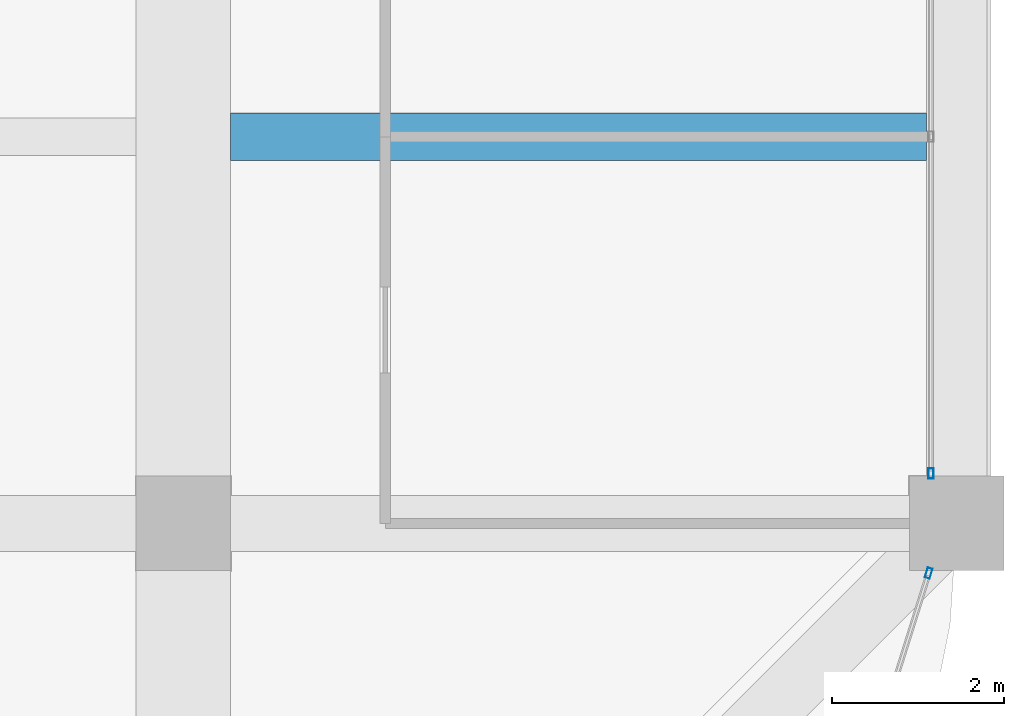
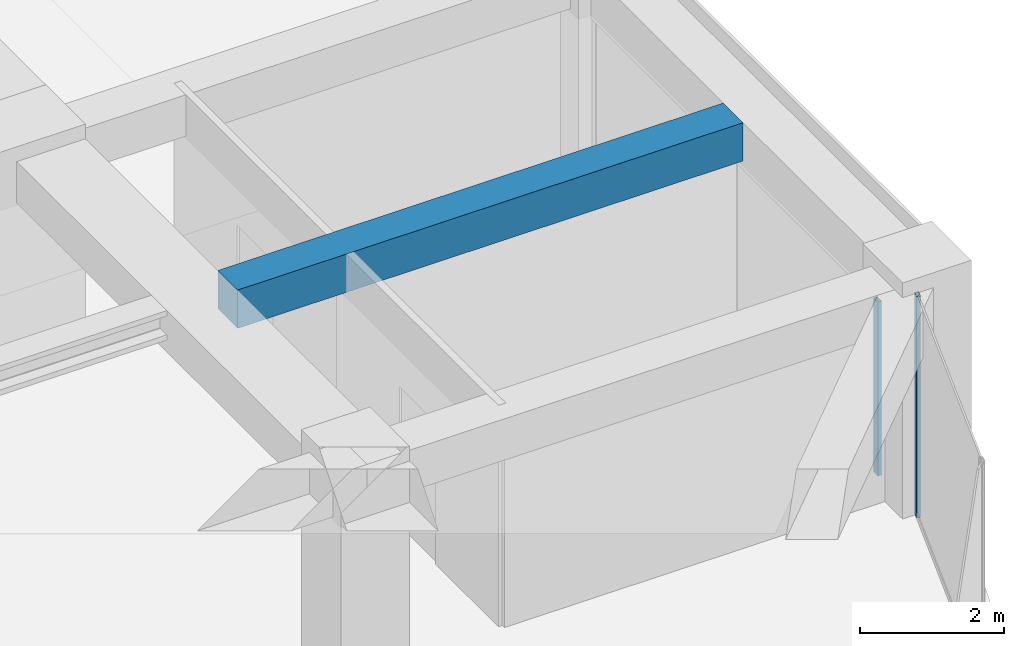
# One storey, part 22 of 44: 2 members, 1 beam, 2 elements without a shape of their own.
"""IFC4 building model written with IfcOpenShell, lengths in metres."""

from ifc_helpers import new_model, si_unit, direction, frame, origin, origin_2d, place, context, subcontext, project, spatial, rectangle, hollow_rectangle, extrude, material, material_profile, profile_set, type_object, element, aggregate, save


model = new_model("IFC4")

# Units and contexts
model_context = context("Model", 3, precision=1e-05, world=origin(), true_north=direction((0.0, 1.0)))
body_context = subcontext(model_context, "Body", "Model", "MODEL_VIEW")
ifc_project = project(units=[si_unit("LENGTHUNIT", "METRE"), si_unit("AREAUNIT", "SQUARE_METRE"), si_unit("VOLUMEUNIT", "CUBIC_METRE"), si_unit("PLANEANGLEUNIT", "RADIAN"), si_unit("MASSUNIT", "GRAM", prefix="KILO")], contexts=[model_context])

# Site, building, storey
site_placement = place(None, origin())
site = spatial("IfcSite", under=ifc_project, at=site_placement, CompositionType="ELEMENT")
building_placement = place(site_placement, origin())
building = spatial("IfcBuilding", under=site, at=building_placement, Name="Zorevar Civic Tower", CompositionType="ELEMENT")
storey_placement = place(building_placement, frame((0.0, 0.0, 295.39990234375)))
storey = spatial("IfcBuildingStorey", under=building, at=storey_placement, Name="L72", CompositionType="ELEMENT", Elevation=295.39990234375)

# Beam
ifc_material_1 = material(Name="Concrete C50/60", Category="concrete")
ifc_material_profile_1 = material_profile(ifc_material_1, rectangle(XDim=0.550048828125, YDim=0.64990234375, at=origin_2d()), Name="RC 550x650")
ifc_profile_set_1 = profile_set([ifc_material_profile_1], Name="Concrete C50/60")
beam_type = type_object("IfcBeamType", Name="Beam RC 550x650", PredefinedType="BEAM", material=ifc_profile_set_1)
beam_placement = place(storey_placement, frame((45.550048828125, 13.5, 3.425048828125), z_axis=(1.0, 0.0, 0.0), x_axis=(0.0, 1.0, 0.0)))
element("IfcBeam", 1, at=beam_placement, inside=storey, type_object=beam_type, Name="Secondary beam L73", PredefinedType="BEAM", context=body_context, shape_type="SweptSolid", body=[
    extrude(rectangle(XDim=0.550048828125, YDim=0.64990234375, at=origin_2d()), origin(), (0.0, 0.0, 1.0), 8.099853515625),
])

# Curtain wall, member
ifc_material_2 = material(Name="Dark grey solar-control glass in black aluminium frame", Category="aluminium")
curtain_wall_type = type_object("IfcCurtainWallType", Name="Curtain wall CW5 top zone", PredefinedType="NOTDEFINED", material=ifc_material_2)
curtain_wall_1_placement = place(storey_placement, origin())
curtain_wall_1 = element("IfcCurtainWall", 2, at=curtain_wall_1_placement, inside=storey, type_object=curtain_wall_type, Name="CW5 L72", PredefinedType="NOTDEFINED")
ifc_material_3 = material(Name="Aluminium, black anodised", Category="aluminium")
ifc_material_profile_2 = material_profile(ifc_material_3, hollow_rectangle(XDim=0.06005859375, YDim=0.1201171875, WallThickness=0.0029296875, at=origin_2d()), Name="AL 120x60x3")
ifc_profile_set_2 = profile_set([ifc_material_profile_2], Name="Aluminium, black anodised")
member_type = type_object("IfcMemberType", Name="CW5 mullion AL 120x60x3", PredefinedType="MULLION", material=ifc_profile_set_2)
member_1_placement = place(storey_placement, frame((53.699951171875, 9.580078125, 0.0), z_axis=(0.0, 0.0, 1.0), x_axis=(-1.0, 0.0, 0.0)))
member_1 = element("IfcMember", 3, at=member_1_placement, type_object=member_type, Name="CW5 mullion 1", PredefinedType="MULLION", context=body_context, shape_type="SweptSolid", body=[
    extrude(hollow_rectangle(XDim=0.06005859375, YDim=0.1201171875, WallThickness=0.0029296875, at=origin_2d()), origin(), (0.0, 0.0, 1.0), 2.9501953125),
])
aggregate(curtain_wall_1, [member_1])

curtain_wall_2_placement = place(storey_placement, origin())
curtain_wall_2 = element("IfcCurtainWall", 4, at=curtain_wall_2_placement, inside=storey, type_object=curtain_wall_type, Name="CW5 L72", PredefinedType="NOTDEFINED")
member_2_placement = place(storey_placement, frame((53.673583984375, 8.42138671875, 0.0), z_axis=(0.0, 0.0, 1.0), x_axis=(-0.954153437674, 0.299317920238, 0.0)))
member_2 = element("IfcMember", 5, at=member_2_placement, type_object=member_type, Name="CW5 mullion 2", PredefinedType="MULLION", context=body_context, shape_type="SweptSolid", body=[
    extrude(hollow_rectangle(XDim=0.06005859375, YDim=0.1201171875, WallThickness=0.0029296875, at=origin_2d()), origin(), (0.0, 0.0, 1.0), 3.75),
])
aggregate(curtain_wall_2, [member_2])

save(model, "model.ifc")
